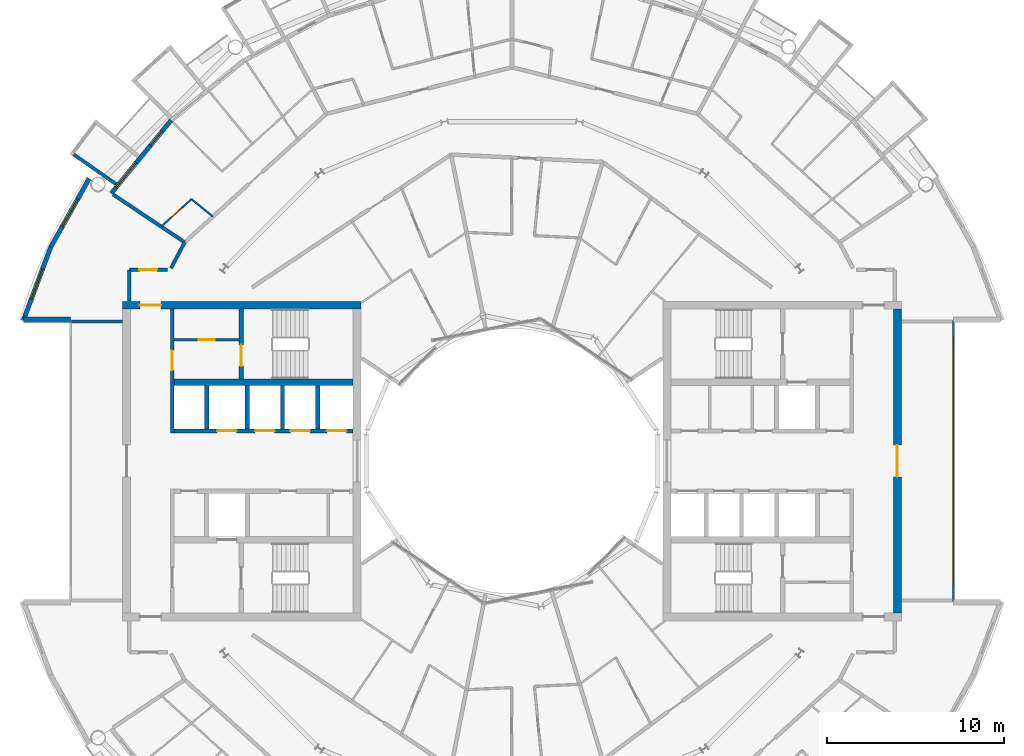
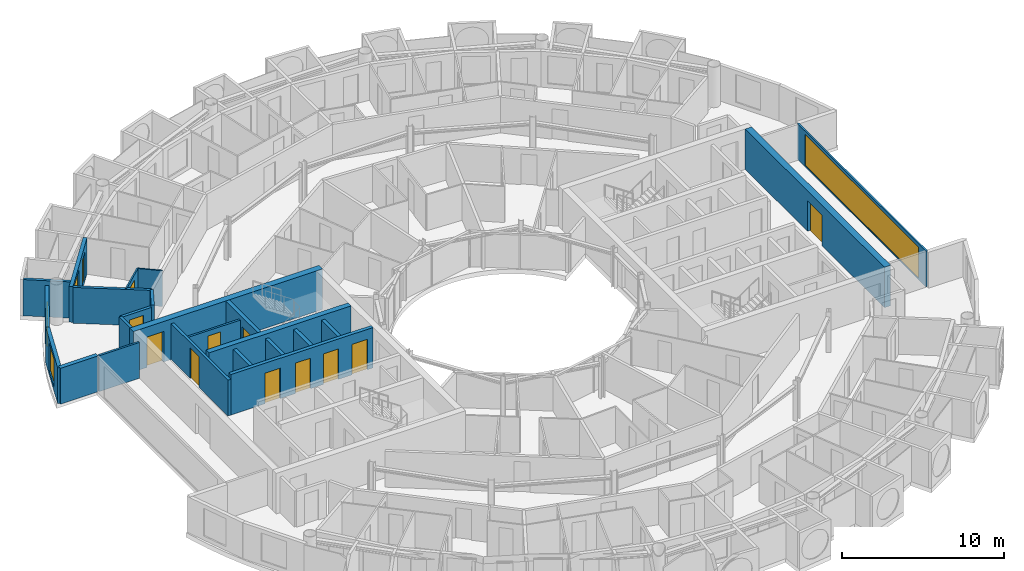
# One storey, part 20 of 29: 24 walls, 12 doors, 4 windows, 16 openings.
"""IFC4 building model written with IfcOpenShell, lengths in metres."""

from ifc_helpers import new_model, si_unit, direction, frame, frame_2d, origin, place, context, subcontext, project, spatial, rectangle, extrude, material, layer, layer_set, type_object, element, fill, save


model = new_model("IFC4")

# Units and contexts
model_context = context("Model", 3, precision=1e-05, world=origin(), true_north=direction((0.0, 1.0)))
body_context = subcontext(model_context, "Body", "Model", "MODEL_VIEW")
ifc_project = project(units=[si_unit("LENGTHUNIT", "METRE"), si_unit("AREAUNIT", "SQUARE_METRE"), si_unit("VOLUMEUNIT", "CUBIC_METRE"), si_unit("PLANEANGLEUNIT", "RADIAN"), si_unit("MASSUNIT", "GRAM", prefix="KILO")], contexts=[model_context])

# Site, building, storey
site_placement = place(None, origin())
site = spatial("IfcSite", under=ifc_project, at=site_placement, CompositionType="ELEMENT")
building_placement = place(site_placement, origin())
building = spatial("IfcBuilding", under=site, at=building_placement, Name="Maasbend Ring Residences", CompositionType="ELEMENT")
storey_placement = place(building_placement, frame((0.0, 0.0, 190.199951171875)))
storey = spatial("IfcBuildingStorey", under=building, at=storey_placement, Name="L54", CompositionType="ELEMENT", Elevation=190.199951171875)

# Wall, openings, doors
ifc_material_1 = material(Name="Concrete C50/60", Category="concrete")
ifc_layer_1 = layer(ifc_material_1, 0.25)
ifc_layer_set_1 = layer_set([ifc_layer_1], Name="Concrete C50/60")
wall_type_1 = type_object("IfcWallType", Name="CORE WALL 250 C50/60", PredefinedType="SHEAR", material=ifc_layer_set_1)
wall_1_placement = place(storey_placement, frame((-9.0, 1.699951171875, 0.0), z_axis=(0.0, 0.0, 1.0), x_axis=(-1.0, 0.0, 0.0)))
wall_1 = element("IfcWall", 1, at=wall_1_placement, inside=storey, type_object=wall_type_1, Name="L54 core W wall SPS", PredefinedType="SHEAR", context=body_context, shape_type="SweptSolid", body=[
    extrude(rectangle(XDim=10.14990234375, YDim=0.25, at=frame_2d((5.074951171875, 0.0))), origin(), (0.0, 0.0, 1.0), 3.050048828125),
])
opening_1_placement = place(wall_1_placement, frame((0.387451171875, 0.0, 0.0)))
opening_1 = element("IfcOpeningElement", 2, at=opening_1_placement, cuts=wall_1, Name="Opening LD-W5402", PredefinedType="OPENING", context=body_context, shape_type="SweptSolid", body=[
    extrude(rectangle(XDim=1.10009765625, YDim=2.300048828125, at=frame_2d((0.550048828125, 1.14990234375))), frame((0.0, 0.135009765625, 0.0), z_axis=(0.0, -1.0, 0.0), x_axis=(1.0, 0.0, 0.0)), (0.0, 0.0, 1.0), 0.27001953125),
])
opening_2_placement = place(wall_1_placement, frame((2.449951171875, 0.0, 0.0)))
opening_2 = element("IfcOpeningElement", 3, at=opening_2_placement, cuts=wall_1, Name="Opening LD-W5403", PredefinedType="OPENING", context=body_context, shape_type="SweptSolid", body=[
    extrude(rectangle(XDim=1.10009765625, YDim=2.300048828125, at=frame_2d((0.550048828125, 1.14990234375))), frame((0.0, 0.135009765625, 0.0), z_axis=(0.0, -1.0, 0.0), x_axis=(1.0, 0.0, 0.0)), (0.0, 0.0, 1.0), 0.27001953125),
])
opening_3_placement = place(wall_1_placement, frame((4.449951171875, 0.0, 0.0)))
opening_3 = element("IfcOpeningElement", 4, at=opening_3_placement, cuts=wall_1, Name="Opening LD-W5404", PredefinedType="OPENING", context=body_context, shape_type="SweptSolid", body=[
    extrude(rectangle(XDim=1.10009765625, YDim=2.300048828125, at=frame_2d((0.550048828125, 1.14990234375))), frame((0.0, 0.135009765625, 0.0), z_axis=(0.0, -1.0, 0.0), x_axis=(1.0, 0.0, 0.0)), (0.0, 0.0, 1.0), 0.27001953125),
])
opening_4_placement = place(wall_1_placement, frame((6.60009765625, 0.0, 0.0)))
opening_4 = element("IfcOpeningElement", 5, at=opening_4_placement, cuts=wall_1, Name="Opening LD-W5405", PredefinedType="OPENING", context=body_context, shape_type="SweptSolid", body=[
    extrude(rectangle(XDim=1.10009765625, YDim=2.300048828125, at=frame_2d((0.550048828125, 1.14990234375))), frame((0.0, 0.135009765625, 0.0), z_axis=(0.0, -1.0, 0.0), x_axis=(1.0, 0.0, 0.0)), (0.0, 0.0, 1.0), 0.27001953125),
])
ifc_material_2 = material(Name="Stainless steel 316", Category="steel")
door_type_1 = type_object("IfcDoorType", Name="LANDING DOOR 1100 X 2300 FD60", OperationType="DOUBLE_DOOR_SLIDING", PredefinedType="DOOR", material=ifc_material_2)
door_1_placement = place(opening_1_placement, origin())
door_1 = element("IfcDoor", 6, at=door_1_placement, inside=storey, type_object=door_type_1, Name="Landing door HR-W1 L54", OperationType="DOUBLE_DOOR_SLIDING", OverallHeight=2.300048828125, OverallWidth=1.10009765625, PredefinedType="DOOR", context=body_context, shape_type="SweptSolid", body=[
    extrude(rectangle(XDim=1.10009765625, YDim=2.300048828125, at=frame_2d((0.550048828125, 1.14990234375))), frame((0.0, 0.02490234375, 0.0), z_axis=(0.0, -1.0, 0.0), x_axis=(1.0, 0.0, 0.0)), (0.0, 0.0, 1.0), 0.050048828125),
])
fill(opening_1, door_1)
door_2_placement = place(opening_2_placement, origin())
door_2 = element("IfcDoor", 7, at=door_2_placement, inside=storey, type_object=door_type_1, Name="Landing door HR-W2 L54", OperationType="DOUBLE_DOOR_SLIDING", OverallHeight=2.300048828125, OverallWidth=1.10009765625, PredefinedType="DOOR", context=body_context, shape_type="SweptSolid", body=[
    extrude(rectangle(XDim=1.10009765625, YDim=2.300048828125, at=frame_2d((0.550048828125, 1.14990234375))), frame((0.0, 0.02490234375, 0.0), z_axis=(0.0, -1.0, 0.0), x_axis=(1.0, 0.0, 0.0)), (0.0, 0.0, 1.0), 0.050048828125),
])
fill(opening_2, door_2)
door_3_placement = place(opening_3_placement, origin())
door_3 = element("IfcDoor", 8, at=door_3_placement, inside=storey, type_object=door_type_1, Name="Landing door HR-W3 L54", OperationType="DOUBLE_DOOR_SLIDING", OverallHeight=2.300048828125, OverallWidth=1.10009765625, PredefinedType="DOOR", context=body_context, shape_type="SweptSolid", body=[
    extrude(rectangle(XDim=1.10009765625, YDim=2.300048828125, at=frame_2d((0.550048828125, 1.14990234375))), frame((0.0, 0.02490234375, 0.0), z_axis=(0.0, -1.0, 0.0), x_axis=(1.0, 0.0, 0.0)), (0.0, 0.0, 1.0), 0.050048828125),
])
fill(opening_3, door_3)
door_4_placement = place(opening_4_placement, origin())
door_4 = element("IfcDoor", 9, at=door_4_placement, inside=storey, type_object=door_type_1, Name="Landing door SV-W L54", OperationType="DOUBLE_DOOR_SLIDING", OverallHeight=2.300048828125, OverallWidth=1.10009765625, PredefinedType="DOOR", context=body_context, shape_type="SweptSolid", body=[
    extrude(rectangle(XDim=1.10009765625, YDim=2.300048828125, at=frame_2d((0.550048828125, 1.14990234375))), frame((0.0, 0.02490234375, 0.0), z_axis=(0.0, -1.0, 0.0), x_axis=(1.0, 0.0, 0.0)), (0.0, 0.0, 1.0), 0.050048828125),
])
fill(opening_4, door_4)

# Wall, opening, door
wall_2_placement = place(storey_placement, frame((-15.324951171875, 8.60009765625, 0.0), z_axis=(0.0, 0.0, 1.0), x_axis=(0.0, -1.0, 0.0)))
wall_2 = element("IfcWall", 10, at=wall_2_placement, inside=storey, type_object=wall_type_1, Name="L54 core W wall STES", PredefinedType="SHEAR", context=body_context, shape_type="SweptSolid", body=[
    extrude(rectangle(XDim=3.9501953125, YDim=0.25, at=frame_2d((1.97509765625, 0.0))), origin(), (0.0, 0.0, 1.0), 3.050048828125),
])
opening_5_placement = place(wall_2_placement, frame((2.02490234375, 0.0, 0.0)))
opening_5 = element("IfcOpeningElement", 11, at=opening_5_placement, cuts=wall_2, Name="Opening D-W5411", PredefinedType="OPENING", context=body_context, shape_type="SweptSolid", body=[
    extrude(rectangle(XDim=1.199951171875, YDim=2.300048828125, at=frame_2d((0.60009765625, 1.14990234375))), frame((0.0, 0.135009765625, 0.0), z_axis=(0.0, -1.0, 0.0), x_axis=(1.0, 0.0, 0.0)), (0.0, 0.0, 1.0), 0.27001953125),
])
ifc_material_3 = material(Name="Steel, powder coated", Category="steel")
door_type_2 = type_object("IfcDoorType", Name="STAIR DOOR 1200 X 2300 FD60", OperationType="NOTDEFINED", PredefinedType="DOOR", material=ifc_material_3)
door_5_placement = place(opening_5_placement, origin())
door_5 = element("IfcDoor", 12, at=door_5_placement, inside=storey, type_object=door_type_2, Name="Stair door ST-W L54", OperationType="SINGLE_SWING_LEFT", OverallHeight=2.300048828125, OverallWidth=1.199951171875, PredefinedType="DOOR", context=body_context, shape_type="SweptSolid", body=[
    extrude(rectangle(XDim=1.199951171875, YDim=2.300048828125, at=frame_2d((0.60009765625, 1.14990234375))), frame((0.0, 0.02490234375, 0.0), z_axis=(0.0, -1.0, 0.0), x_axis=(1.0, 0.0, 0.0)), (0.0, 0.0, 1.0), 0.050048828125),
])
fill(opening_5, door_5)

# Wall
ifc_material_4 = material(Name="Concrete C50/60", Category="concrete")
ifc_layer_2 = layer(ifc_material_4, 0.375)
ifc_layer_set_2 = layer_set([ifc_layer_2], Name="Concrete C50/60")
wall_type_2 = type_object("IfcWallType", Name="CORE WALL 375 C50/60", PredefinedType="SHEAR", material=ifc_layer_set_2)
wall_3_placement = place(storey_placement, frame((-9.0, 4.46240234375, 0.0), z_axis=(0.0, 0.0, 1.0), x_axis=(-1.0, 0.0, 0.0)))
element("IfcWall", 13, at=wall_3_placement, inside=storey, type_object=wall_type_2, Name="L54 core W wall BS", PredefinedType="SHEAR", context=body_context, shape_type="SweptSolid", body=[
    extrude(rectangle(XDim=10.14990234375, YDim=0.375, at=frame_2d((5.074951171875, 0.0))), origin(), (0.0, 0.0, 1.0), 3.050048828125),
])

# Wall, opening, door
ifc_material_5 = material(Name="Concrete C50/60", Category="concrete")
ifc_layer_3 = layer(ifc_material_5, 0.449951171875)
ifc_layer_set_3 = layer_set([ifc_layer_3], Name="Concrete C50/60")
wall_type_3 = type_object("IfcWallType", Name="CORE WALL 450 C50/60", PredefinedType="SHEAR", material=ifc_layer_set_3)
wall_4_placement = place(storey_placement, frame((21.824951171875, 8.60009765625, 0.0), z_axis=(0.0, 0.0, 1.0), x_axis=(0.0, -1.0, 0.0)))
wall_4 = element("IfcWall", 14, at=wall_4_placement, inside=storey, type_object=wall_type_3, Name="L54 core E wall POUT", PredefinedType="SHEAR", context=body_context, shape_type="SweptSolid", body=[
    extrude(rectangle(XDim=17.2001953125, YDim=0.449951171875, at=frame_2d((8.60009765625, 0.0))), origin(), (0.0, 0.0, 1.0), 3.050048828125),
])
opening_6_placement = place(wall_4_placement, frame((7.699951171875, 0.0, 0.0)))
opening_6 = element("IfcOpeningElement", 15, at=opening_6_placement, cuts=wall_4, Name="Opening D-E5418", PredefinedType="OPENING", context=body_context, shape_type="SweptSolid", body=[
    extrude(rectangle(XDim=1.800048828125, YDim=2.300048828125, at=frame_2d((0.89990234375, 1.14990234375))), frame((0.0, 0.23486328125, 0.0), z_axis=(0.0, -1.0, 0.0), x_axis=(1.0, 0.0, 0.0)), (0.0, 0.0, 1.0), 0.469970703125),
])
ifc_material_6 = material(Name="Aluminium frame, clear glass", Category="aluminium")
door_type_3 = type_object("IfcDoorType", Name="ENTRANCE DOOR 1800 X 2300 FD60", OperationType="NOTDEFINED", PredefinedType="DOOR", material=ifc_material_6)
door_6_placement = place(opening_6_placement, origin())
door_6 = element("IfcDoor", 16, at=door_6_placement, inside=storey, type_object=door_type_3, Name="Lobby glazed door L54", OperationType="SINGLE_SWING_LEFT", OverallHeight=2.300048828125, OverallWidth=1.800048828125, PredefinedType="DOOR", context=body_context, shape_type="SweptSolid", body=[
    extrude(rectangle(XDim=1.800048828125, YDim=2.300048828125, at=frame_2d((0.89990234375, 1.14990234375))), frame((0.0, 0.02490234375, 0.0), z_axis=(0.0, -1.0, 0.0), x_axis=(1.0, 0.0, 0.0)), (0.0, 0.0, 1.0), 0.050048828125),
])
fill(opening_6, door_6)

wall_5_placement = place(storey_placement, frame((-8.550048828125, 8.824951171875, 0.0), z_axis=(0.0, 0.0, 1.0), x_axis=(-1.0, 0.0, 0.0)))
wall_5 = element("IfcWall", 17, at=wall_5_placement, inside=storey, type_object=wall_type_3, Name="L54 core W wall PS", PredefinedType="SHEAR", context=body_context, shape_type="SweptSolid", body=[
    extrude(rectangle(XDim=13.5, YDim=0.449951171875, at=frame_2d((6.75, 0.0))), origin(), (0.0, 0.0, 1.0), 3.050048828125),
])
opening_7_placement = place(wall_5_placement, frame((11.324951171875, 0.0, 0.0)))
opening_7 = element("IfcOpeningElement", 18, at=opening_7_placement, cuts=wall_5, Name="Opening D-W5415", PredefinedType="OPENING", context=body_context, shape_type="SweptSolid", body=[
    extrude(rectangle(XDim=1.199951171875, YDim=2.300048828125, at=frame_2d((0.60009765625, 1.14990234375))), frame((0.0, 0.23486328125, 0.0), z_axis=(0.0, -1.0, 0.0), x_axis=(1.0, 0.0, 0.0)), (0.0, 0.0, 1.0), 0.469970703125),
])
ifc_material_7 = material(Name="Steel, powder coated", Category="steel")
door_type_4 = type_object("IfcDoorType", Name="CORRIDOR DOOR 1200 X 2300 FD30S", OperationType="NOTDEFINED", PredefinedType="DOOR", material=ifc_material_7)
door_7_placement = place(opening_7_placement, origin())
door_7 = element("IfcDoor", 19, at=door_7_placement, inside=storey, type_object=door_type_4, Name="Corridor door L54", OperationType="SINGLE_SWING_LEFT", OverallHeight=2.300048828125, OverallWidth=1.199951171875, PredefinedType="DOOR", context=body_context, shape_type="SweptSolid", body=[
    extrude(rectangle(XDim=1.199951171875, YDim=2.300048828125, at=frame_2d((0.60009765625, 1.14990234375))), frame((0.0, 0.02490234375, 0.0), z_axis=(0.0, -1.0, 0.0), x_axis=(1.0, 0.0, 0.0)), (0.0, 0.0, 1.0), 0.050048828125),
])
fill(opening_7, door_7)

ifc_material_8 = material(Name="Concrete C30/37", Category="concrete")
ifc_layer_4 = layer(ifc_material_8, 0.199951171875)
ifc_layer_set_4 = layer_set([ifc_layer_4], Name="Concrete C30/37")
wall_type_4 = type_object("IfcWallType", Name="CORRIDOR WALL 200 CONCRETE", PredefinedType="PARTITIONING", material=ifc_layer_set_4)
wall_6_placement = place(storey_placement, frame((-21.675048828125, 10.824951171875, 0.0), z_axis=(0.0, 0.0, 1.0), x_axis=(1.0, 0.0, 0.0)))
wall_6 = element("IfcWall", 20, at=wall_6_placement, inside=storey, type_object=wall_type_4, Name="U-L54-w093", PredefinedType="PARTITIONING", context=body_context, shape_type="SweptSolid", body=[
    extrude(rectangle(XDim=2.152099609375, YDim=0.199951171875, at=frame_2d((1.076171875, 0.0))), origin(), (0.0, 0.0, 1.0), 2.699951171875),
])
opening_8_placement = place(wall_6_placement, frame((0.575927734375, 0.0, 0.0)))
opening_8 = element("IfcOpeningElement", 21, at=opening_8_placement, cuts=wall_6, Name="Opening D-5472", PredefinedType="OPENING", context=body_context, shape_type="SweptSolid", body=[
    extrude(rectangle(XDim=1.0, YDim=2.300048828125, at=frame_2d((0.5, 1.14990234375))), frame((0.0, 0.10986328125, 0.0), z_axis=(0.0, -1.0, 0.0), x_axis=(1.0, 0.0, 0.0)), (0.0, 0.0, 1.0), 0.219970703125),
])
ifc_material_9 = material(Name="Timber, painted", Category="wood")
door_type_5 = type_object("IfcDoorType", Name="ROOM DOOR 1000 X 2300", OperationType="NOTDEFINED", PredefinedType="DOOR", material=ifc_material_9)
door_8_placement = place(opening_8_placement, origin())
door_8 = element("IfcDoor", 22, at=door_8_placement, inside=storey, type_object=door_type_5, Name="D-5472", OperationType="SINGLE_SWING_LEFT", OverallHeight=2.300048828125, OverallWidth=1.0, PredefinedType="DOOR", context=body_context, shape_type="SweptSolid", body=[
    extrude(rectangle(XDim=1.0, YDim=2.300048828125, at=frame_2d((0.5, 1.14990234375))), frame((0.0, 0.02490234375, 0.0), z_axis=(0.0, -1.0, 0.0), x_axis=(1.0, 0.0, 0.0)), (0.0, 0.0, 1.0), 0.050048828125),
])
fill(opening_8, door_8)

# Walls
wall_7_placement = place(storey_placement, frame((-21.675048828125, 9.050048828125, 0.0), z_axis=(0.0, 0.0, 1.0), x_axis=(0.0, 1.0, 0.0)))
element("IfcWall", 23, at=wall_7_placement, inside=storey, type_object=wall_type_4, Name="U-L54-w109", PredefinedType="PARTITIONING", context=body_context, shape_type="SweptSolid", body=[
    extrude(rectangle(XDim=1.77490234375, YDim=0.199951171875, at=frame_2d((0.887451171875, 0.0))), origin(), (0.0, 0.0, 1.0), 2.699951171875),
])
wall_8_placement = place(storey_placement, frame((-19.31689453125, 10.9150390625, 0.0), z_axis=(0.0, 0.0, 1.0), x_axis=(0.465359652486, 0.885121683068, 0.0)))
element("IfcWall", 24, at=wall_8_placement, inside=storey, type_object=wall_type_4, Name="U-L54-w110", PredefinedType="PARTITIONING", context=body_context, shape_type="SweptSolid", body=[
    extrude(rectangle(XDim=1.665283203125, YDim=0.199951171875, at=frame_2d((0.83251953125, 0.0))), origin(), (0.0, 0.0, 1.0), 2.699951171875),
])
ifc_material_10 = material(Name="Pale anodised aluminium panel", Category="aluminium")
ifc_layer_5 = layer(ifc_material_10, 0.199951171875)
ifc_layer_set_5 = layer_set([ifc_layer_5], Name="EW-BOX")
wall_type_5 = type_object("IfcWallType", Name="EW-BOX", PredefinedType="SOLIDWALL", material=ifc_layer_set_5)
wall_9_placement = place(storey_placement, frame((-22.43310546875, 15.68798828125, -0.030029296875), z_axis=(0.0, 0.0, 1.0), x_axis=(-0.819373043115, 0.573260687834, 0.0)))
element("IfcWall", 25, at=wall_9_placement, inside=storey, type_object=wall_type_5, Name="Box side wall N20 right", PredefinedType="SOLIDWALL", context=body_context, shape_type="SweptSolid", body=[
    extrude(rectangle(XDim=2.92529296875, YDim=0.199951171875, at=frame_2d((1.462646484375, 0.0))), origin(), (0.0, 0.0, 1.0), 2.72998046875),
])

# Wall, openings, door, window
ifc_material_11 = material(Name="Aluminium clad insulated panel", Category="aluminium")
ifc_layer_6 = layer(ifc_material_11, 0.25)
ifc_layer_set_6 = layer_set([ifc_layer_6], Name="EW-GL")
wall_type_6 = type_object("IfcWallType", Name="EW-GL", PredefinedType="SOLIDWALL", material=ifc_layer_set_6)
wall_10_placement = place(storey_placement, frame((-19.303955078125, 19.303955078125, 0.0), z_axis=(0.0, 0.0, 1.0), x_axis=(-0.634382322723, -0.773019449054, 0.0)))
wall_10 = element("IfcWall", 26, at=wall_10_placement, inside=storey, type_object=wall_type_6, Name="External wall N10", PredefinedType="SOLIDWALL", context=body_context, shape_type="SweptSolid", body=[
    extrude(rectangle(XDim=5.351806640625, YDim=0.25, at=frame_2d((2.67578125, 0.0))), origin(), (0.0, 0.0, 1.0), 2.699951171875),
])
opening_9_placement = place(wall_10_placement, frame((0.841064453125, 0.0, 0.0)))
opening_9 = element("IfcOpeningElement", 27, at=opening_9_placement, cuts=wall_10, Name="Opening D-LG", PredefinedType="OPENING", context=body_context, shape_type="SweptSolid", body=[
    extrude(rectangle(XDim=1.0, YDim=2.199951171875, at=frame_2d((0.5, 1.10009765625))), frame((0.0, 0.135009765625, 0.0), z_axis=(0.0, -1.0, 0.0), x_axis=(1.0, 0.0, 0.0)), (0.0, 0.0, 1.0), 0.27001953125),
])
opening_10_placement = place(wall_10_placement, frame((3.110595703125, 0.0, 0.300048828125)))
opening_10 = element("IfcOpeningElement", 28, at=opening_10_placement, cuts=wall_10, Name="Opening W-BX", PredefinedType="OPENING", context=body_context, shape_type="SweptSolid", body=[
    extrude(rectangle(XDim=1.800048828125, YDim=2.10009765625, at=frame_2d((0.89990234375, 1.050048828125))), frame((0.0, 0.135009765625, 0.0), z_axis=(0.0, -1.0, 0.0), x_axis=(1.0, 0.0, 0.0)), (0.0, 0.0, 1.0), 0.27001953125),
])
ifc_material_12 = material(Name="Aluminium and clear glass", Category="aluminium")
door_type_6 = type_object("IfcDoorType", Name="D-LG", OperationType="SINGLE_SWING_LEFT", PredefinedType="DOOR", material=ifc_material_12)
door_9_placement = place(opening_9_placement, origin())
door_9 = element("IfcDoor", 29, at=door_9_placement, inside=storey, type_object=door_type_6, Name="Loggia door N19", OperationType="SINGLE_SWING_LEFT", OverallHeight=2.199951171875, OverallWidth=1.0, PredefinedType="DOOR", context=body_context, shape_type="SweptSolid", body=[
    extrude(rectangle(XDim=1.0, YDim=2.199951171875, at=frame_2d((0.5, 1.10009765625))), frame((0.0, 0.02490234375, 0.0), z_axis=(0.0, -1.0, 0.0), x_axis=(1.0, 0.0, 0.0)), (0.0, 0.0, 1.0), 0.050048828125),
])
fill(opening_9, door_9)
ifc_material_13 = material(Name="Aluminium and clear glass", Category="aluminium")
window_type_1 = type_object("IfcWindowType", Name="W-BX", PartitioningType="DOUBLE_PANEL_VERTICAL", PredefinedType="WINDOW", material=ifc_material_13)
window_1_placement = place(opening_10_placement, origin())
window_1 = element("IfcWindow", 30, at=window_1_placement, inside=storey, type_object=window_type_1, Name="Window N20 room to box", OverallHeight=2.10009765625, OverallWidth=1.800048828125, PartitioningType="SINGLE_PANEL", PredefinedType="WINDOW", context=body_context, shape_type="SweptSolid", body=[
    extrude(rectangle(XDim=1.800048828125, YDim=2.10009765625, at=frame_2d((0.89990234375, 1.050048828125))), frame((0.0, 0.030029296875, 0.0), z_axis=(0.0, -1.0, 0.0), x_axis=(1.0, 0.0, 0.0)), (0.0, 0.0, 1.0), 0.06005859375),
])
fill(opening_10, window_1)

# Wall, opening, window
ifc_material_14 = material(Name="Aluminium clad insulated panel", Category="aluminium")
ifc_layer_7 = layer(ifc_material_14, 0.25)
ifc_layer_set_7 = layer_set([ifc_layer_7], Name="EW-HORN")
wall_type_7 = type_object("IfcWallType", Name="EW-HORN", PredefinedType="SOLIDWALL", material=ifc_layer_set_7)
wall_11_placement = place(storey_placement, frame((-23.946044921875, 16.0, 0.0), z_axis=(0.0, 0.0, 1.0), x_axis=(-0.489696356642, -0.871893042919, 0.0)))
wall_11 = element("IfcWall", 31, at=wall_11_placement, inside=storey, type_object=wall_type_7, Name="Horn wall 4.1", PredefinedType="SOLIDWALL", context=body_context, shape_type="SweptSolid", body=[
    extrude(rectangle(XDim=4.45361328125, YDim=0.25, at=frame_2d((2.226806640625, 0.0))), origin(), (0.0, 0.0, 1.0), 2.699951171875),
])
opening_11_placement = place(wall_11_placement, frame((1.32666015625, 0.0, 0.300048828125)))
opening_11 = element("IfcOpeningElement", 32, at=opening_11_placement, cuts=wall_11, Name="Opening W-BX", PredefinedType="OPENING", context=body_context, shape_type="SweptSolid", body=[
    extrude(rectangle(XDim=1.800048828125, YDim=2.10009765625, at=frame_2d((0.89990234375, 1.050048828125))), frame((0.0, 0.135009765625, 0.0), z_axis=(0.0, -1.0, 0.0), x_axis=(1.0, 0.0, 0.0)), (0.0, 0.0, 1.0), 0.27001953125),
])
window_2_placement = place(opening_11_placement, origin())
window_2 = element("IfcWindow", 33, at=window_2_placement, inside=storey, type_object=window_type_1, Name="Horn window 4.1", OverallHeight=2.10009765625, OverallWidth=1.800048828125, PartitioningType="SINGLE_PANEL", PredefinedType="WINDOW", context=body_context, shape_type="SweptSolid", body=[
    extrude(rectangle(XDim=1.800048828125, YDim=2.10009765625, at=frame_2d((0.89990234375, 1.050048828125))), frame((0.0, 0.030029296875, 0.0), z_axis=(0.0, -1.0, 0.0), x_axis=(1.0, 0.0, 0.0)), (0.0, 0.0, 1.0), 0.06005859375),
])
fill(opening_11, window_2)

wall_12_placement = place(storey_placement, frame((-26.126953125, 12.116943359375, 0.0), z_axis=(0.0, 0.0, 1.0), x_axis=(-0.349247811493, -0.937030397675, 0.0)))
wall_12 = element("IfcWall", 34, at=wall_12_placement, inside=storey, type_object=wall_type_7, Name="Horn wall 4.2", PredefinedType="SOLIDWALL", context=body_context, shape_type="SweptSolid", body=[
    extrude(rectangle(XDim=4.4521484375, YDim=0.25, at=frame_2d((2.22607421875, 0.0))), origin(), (0.0, 0.0, 1.0), 2.699951171875),
])
opening_12_placement = place(wall_12_placement, frame((1.32666015625, 0.0, 0.300048828125)))
opening_12 = element("IfcOpeningElement", 35, at=opening_12_placement, cuts=wall_12, Name="Opening W-BX", PredefinedType="OPENING", context=body_context, shape_type="SweptSolid", body=[
    extrude(rectangle(XDim=1.800048828125, YDim=2.10009765625, at=frame_2d((0.89990234375, 1.050048828125))), frame((0.0, 0.135009765625, 0.0), z_axis=(0.0, -1.0, 0.0), x_axis=(1.0, 0.0, 0.0)), (0.0, 0.0, 1.0), 0.27001953125),
])
window_3_placement = place(opening_12_placement, origin())
window_3 = element("IfcWindow", 36, at=window_3_placement, inside=storey, type_object=window_type_1, Name="Horn window 4.2", OverallHeight=2.10009765625, OverallWidth=1.800048828125, PartitioningType="SINGLE_PANEL", PredefinedType="WINDOW", context=body_context, shape_type="SweptSolid", body=[
    extrude(rectangle(XDim=1.800048828125, YDim=2.10009765625, at=frame_2d((0.89990234375, 1.050048828125))), frame((0.0, 0.030029296875, 0.0), z_axis=(0.0, -1.0, 0.0), x_axis=(1.0, 0.0, 0.0)), (0.0, 0.0, 1.0), 0.06005859375),
])
fill(opening_12, window_3)

# Wall
ifc_material_15 = material(Name="Aluminium clad insulated panel", Category="aluminium")
ifc_layer_8 = layer(ifc_material_15, 0.300048828125)
ifc_layer_set_8 = layer_set([ifc_layer_8], Name="EW-RET")
wall_type_8 = type_object("IfcWallType", Name="EW-RET", PredefinedType="SOLIDWALL", material=ifc_layer_set_8)
wall_13_placement = place(storey_placement, frame((-25.0, 8.0, 0.0), z_axis=(0.0, 0.0, 1.0), x_axis=(-1.0, 0.0, 0.0)))
element("IfcWall", 37, at=wall_13_placement, inside=storey, type_object=wall_type_8, Name="Notch return wall west north", PredefinedType="SOLIDWALL", context=body_context, shape_type="SweptSolid", body=[
    extrude(rectangle(XDim=2.6669921875, YDim=0.300048828125, at=frame_2d((1.33349609375, 0.0))), origin(), (0.0, 0.0, 1.0), 2.699951171875),
])

# Wall, opening, window
ifc_material_16 = material(Name="Aluminium frame and clear glass", Category="aluminium")
ifc_layer_9 = layer(ifc_material_16, 0.1201171875)
ifc_layer_set_9 = layer_set([ifc_layer_9], Name="GLAZED SCREEN WALL 120 EI 60")
wall_type_9 = type_object("IfcWallType", Name="GLAZED SCREEN WALL 120 EI 60", PredefinedType="PARTITIONING", material=ifc_layer_set_9)
wall_14_placement = place(storey_placement, frame((25.0, -7.949951171875, 0.0), z_axis=(0.0, 0.0, 1.0), x_axis=(0.0, 1.0, 0.0)))
wall_14 = element("IfcWall", 38, at=wall_14_placement, inside=storey, type_object=wall_type_9, Name="L54 core E wall FACE", PredefinedType="PARTITIONING", context=body_context, shape_type="SweptSolid", body=[
    extrude(rectangle(XDim=15.89990234375, YDim=0.1201171875, at=frame_2d((7.949951171875, 0.0))), origin(), (0.0, 0.0, 1.0), 2.699951171875),
])
opening_13_placement = place(wall_14_placement, frame((0.949951171875, 0.0, 0.10009765625)))
opening_13 = element("IfcOpeningElement", 39, at=opening_13_placement, cuts=wall_14, Name="Opening W-E5402", PredefinedType="OPENING", context=body_context, shape_type="SweptSolid", body=[
    extrude(rectangle(XDim=14.0, YDim=2.35009765625, at=frame_2d((7.0, 1.175048828125))), frame((0.0, 0.070068359375, 0.0), z_axis=(0.0, -1.0, 0.0), x_axis=(1.0, 0.0, 0.0)), (0.0, 0.0, 1.0), 0.14013671875),
])
ifc_material_17 = material(Name="Aluminium frame and clear glass", Category="aluminium")
window_type_2 = type_object("IfcWindowType", Name="FIXED WINDOW 14000 X 2350", PartitioningType="SINGLE_PANEL", PredefinedType="WINDOW", material=ifc_material_17)
window_4_placement = place(opening_13_placement, origin())
window_4 = element("IfcWindow", 40, at=window_4_placement, inside=storey, type_object=window_type_2, Name="Lobby window L54", OverallHeight=2.35009765625, OverallWidth=14.0, PartitioningType="SINGLE_PANEL", PredefinedType="WINDOW", context=body_context, shape_type="SweptSolid", body=[
    extrude(rectangle(XDim=14.0, YDim=2.35009765625, at=frame_2d((7.0, 1.175048828125))), frame((0.0, 0.030029296875, 0.0), z_axis=(0.0, -1.0, 0.0), x_axis=(1.0, 0.0, 0.0)), (0.0, 0.0, 1.0), 0.06005859375),
])
fill(opening_13, window_4)

# Wall
ifc_material_18 = material(Name="Gypsum board on steel studs", Category="steel")
ifc_layer_10 = layer(ifc_material_18, 0.10009765625)
ifc_layer_set_10 = layer_set([ifc_layer_10], Name="PARTITION 100 GYPSUM")
wall_type_10 = type_object("IfcWallType", Name="PARTITION 100 GYPSUM", PredefinedType="PARTITIONING", material=ifc_layer_set_10)
wall_15_placement = place(storey_placement, frame((-18.154052734375, 14.833984375, 0.0), z_axis=(0.0, 0.0, 1.0), x_axis=(0.774345345452, -0.632763214779, 0.0)))
element("IfcWall", 41, at=wall_15_placement, inside=storey, type_object=wall_type_10, Name="U-L54-w037", PredefinedType="PARTITIONING", context=body_context, shape_type="SweptSolid", body=[
    extrude(rectangle(XDim=1.569091796875, YDim=0.10009765625, at=frame_2d((0.78466796875, 0.0))), origin(), (0.0, 0.0, 1.0), 2.699951171875),
])

# Wall, opening, door
wall_16_placement = place(storey_placement, frame((-19.8720703125, 13.278076171875, 0.0), z_axis=(0.0, 0.0, 1.0), x_axis=(0.740990220108, 0.671515817911, 0.0)))
wall_16 = element("IfcWall", 42, at=wall_16_placement, inside=storey, type_object=wall_type_10, Name="U-L54-w112", PredefinedType="PARTITIONING", context=body_context, shape_type="SweptSolid", body=[
    extrude(rectangle(XDim=2.32275390625, YDim=0.10009765625, at=frame_2d((1.161376953125, 0.0))), origin(), (0.0, 0.0, 1.0), 2.699951171875),
])
opening_14_placement = place(wall_16_placement, frame((0.7109375, 0.0, 0.0)))
opening_14 = element("IfcOpeningElement", 43, at=opening_14_placement, cuts=wall_16, Name="Opening D-5420", PredefinedType="OPENING", context=body_context, shape_type="SweptSolid", body=[
    extrude(rectangle(XDim=0.89990234375, YDim=2.300048828125, at=frame_2d((0.449951171875, 1.14990234375))), frame((0.0, 0.06005859375, 0.0), z_axis=(0.0, -1.0, 0.0), x_axis=(1.0, 0.0, 0.0)), (0.0, 0.0, 1.0), 0.1201171875),
])
ifc_material_19 = material(Name="Timber, painted", Category="wood")
door_type_7 = type_object("IfcDoorType", Name="INTERNAL DOOR 900 X 2300", OperationType="NOTDEFINED", PredefinedType="DOOR", material=ifc_material_19)
door_10_placement = place(opening_14_placement, origin())
door_10 = element("IfcDoor", 44, at=door_10_placement, inside=storey, type_object=door_type_7, Name="D-5420", OperationType="SINGLE_SWING_LEFT", OverallHeight=2.300048828125, OverallWidth=0.89990234375, PredefinedType="DOOR", context=body_context, shape_type="SweptSolid", body=[
    extrude(rectangle(XDim=0.89990234375, YDim=2.300048828125, at=frame_2d((0.449951171875, 1.14990234375))), frame((0.0, 0.02490234375, 0.0), z_axis=(0.0, -1.0, 0.0), x_axis=(1.0, 0.0, 0.0)), (0.0, 0.0, 1.0), 0.050048828125),
])
fill(opening_14, door_10)

ifc_material_20 = material(Name="Gypsum board on steel studs", Category="steel")
ifc_layer_11 = layer(ifc_material_20, 0.14990234375)
ifc_layer_set_11 = layer_set([ifc_layer_11], Name="PARTITION 150 EI 60")
wall_type_11 = type_object("IfcWallType", Name="PARTITION 150 EI 60", PredefinedType="PARTITIONING", material=ifc_layer_set_11)
wall_17_placement = place(storey_placement, frame((-15.449951171875, 6.875, 0.0), z_axis=(0.0, 0.0, 1.0), x_axis=(-1.0, 0.0, 0.0)))
wall_17 = element("IfcWall", 45, at=wall_17_placement, inside=storey, type_object=wall_type_11, Name="L54 core W wall RHS", PredefinedType="PARTITIONING", context=body_context, shape_type="SweptSolid", body=[
    extrude(rectangle(XDim=3.699951171875, YDim=0.14990234375, at=frame_2d((1.85009765625, 0.0))), origin(), (0.0, 0.0, 1.0), 2.699951171875),
])
opening_15_placement = place(wall_17_placement, frame((1.39990234375, 0.0, 0.0)))
opening_15 = element("IfcOpeningElement", 46, at=opening_15_placement, cuts=wall_17, Name="Opening D-W5409", PredefinedType="OPENING", context=body_context, shape_type="SweptSolid", body=[
    extrude(rectangle(XDim=0.89990234375, YDim=2.300048828125, at=frame_2d((0.449951171875, 1.14990234375))), frame((0.0, 0.0849609375, 0.0), z_axis=(0.0, -1.0, 0.0), x_axis=(1.0, 0.0, 0.0)), (0.0, 0.0, 1.0), 0.169921875),
])
ifc_material_21 = material(Name="Steel, powder coated", Category="steel")
door_type_8 = type_object("IfcDoorType", Name="RISER DOOR 900 X 2300 FD60", OperationType="NOTDEFINED", PredefinedType="DOOR", material=ifc_material_21)
door_11_placement = place(opening_15_placement, origin())
door_11 = element("IfcDoor", 47, at=door_11_placement, inside=storey, type_object=door_type_8, Name="Riser door L54", OperationType="SINGLE_SWING_LEFT", OverallHeight=2.300048828125, OverallWidth=0.89990234375, PredefinedType="DOOR", context=body_context, shape_type="SweptSolid", body=[
    extrude(rectangle(XDim=0.89990234375, YDim=2.300048828125, at=frame_2d((0.449951171875, 1.14990234375))), frame((0.0, 0.02490234375, 0.0), z_axis=(0.0, -1.0, 0.0), x_axis=(1.0, 0.0, 0.0)), (0.0, 0.0, 1.0), 0.050048828125),
])
fill(opening_15, door_11)

# Walls
wall_18_placement = place(storey_placement, frame((-22.050048828125, 7.89990234375, 0.0), z_axis=(0.0, 0.0, 1.0), x_axis=(-1.0, 0.0, 0.0)))
element("IfcWall", 48, at=wall_18_placement, inside=storey, type_object=wall_type_11, Name="L54 core W wall CITS", PredefinedType="PARTITIONING", context=body_context, shape_type="SweptSolid", body=[
    extrude(rectangle(XDim=2.889892578125, YDim=0.14990234375, at=frame_2d((1.44482421875, 0.0))), origin(), (0.0, 0.0, 1.0), 2.699951171875),
])
ifc_material_22 = material(Name="Concrete C30/37", Category="concrete")
ifc_layer_12 = layer(ifc_material_22, 0.199951171875)
ifc_layer_set_12 = layer_set([ifc_layer_12], Name="Concrete C30/37")
wall_type_12 = type_object("IfcWallType", Name="PARTY WALL 200 CONCRETE", PredefinedType="PARTITIONING", material=ifc_layer_set_12)
wall_19_placement = place(storey_placement, frame((-22.594970703125, 15.097900390625, 0.0), z_axis=(0.0, 0.0, 1.0), x_axis=(0.831387096605, -0.55569370664, 0.0)))
element("IfcWall", 49, at=wall_19_placement, inside=storey, type_object=wall_type_12, Name="U-L54-w033", PredefinedType="PARTITIONING", context=body_context, shape_type="SweptSolid", body=[
    extrude(rectangle(XDim=4.875, YDim=0.199951171875, at=frame_2d((2.4375, 0.0))), origin(), (0.0, 0.0, 1.0), 2.699951171875),
])

# Wall, opening, door
ifc_material_23 = material(Name="Concrete C30/37", Category="concrete")
ifc_layer_13 = layer(ifc_material_23, 0.199951171875)
ifc_layer_set_13 = layer_set([ifc_layer_13], Name="Concrete C30/37")
wall_type_13 = type_object("IfcWallType", Name="SHAFT WALL 200 EI 120", PredefinedType="SOLIDWALL", material=ifc_layer_set_13)
wall_20_placement = place(storey_placement, frame((-19.25, 8.60009765625, 0.0), z_axis=(0.0, 0.0, 1.0), x_axis=(0.0, -1.0, 0.0)))
wall_20 = element("IfcWall", 50, at=wall_20_placement, inside=storey, type_object=wall_type_13, Name="L54 core W wall ENDS", PredefinedType="SOLIDWALL", context=body_context, shape_type="SweptSolid", body=[
    extrude(rectangle(XDim=7.025146484375, YDim=0.199951171875, at=frame_2d((3.5126953125, 0.0))), origin(), (0.0, 0.0, 1.0), 2.699951171875),
])
opening_16_placement = place(wall_20_placement, frame((2.35009765625, 0.0, 0.0)))
opening_16 = element("IfcOpeningElement", 51, at=opening_16_placement, cuts=wall_20, Name="Opening D-W5413", PredefinedType="OPENING", context=body_context, shape_type="SweptSolid", body=[
    extrude(rectangle(XDim=1.10009765625, YDim=2.300048828125, at=frame_2d((0.550048828125, 1.14990234375))), frame((0.0, 0.10986328125, 0.0), z_axis=(0.0, -1.0, 0.0), x_axis=(1.0, 0.0, 0.0)), (0.0, 0.0, 1.0), 0.219970703125),
])
ifc_material_24 = material(Name="Steel, powder coated", Category="steel")
door_type_9 = type_object("IfcDoorType", Name="LOBBY DOOR 1100 X 2300 FD60", OperationType="NOTDEFINED", PredefinedType="DOOR", material=ifc_material_24)
door_12_placement = place(opening_16_placement, origin())
door_12 = element("IfcDoor", 52, at=door_12_placement, inside=storey, type_object=door_type_9, Name="Lobby door L54", OperationType="SINGLE_SWING_RIGHT", OverallHeight=2.300048828125, OverallWidth=1.10009765625, PredefinedType="DOOR", context=body_context, shape_type="SweptSolid", body=[
    extrude(rectangle(XDim=1.10009765625, YDim=2.300048828125, at=frame_2d((0.550048828125, 1.14990234375))), frame((0.0, 0.02490234375, 0.0), z_axis=(0.0, -1.0, 0.0), x_axis=(1.0, 0.0, 0.0)), (0.0, 0.0, 1.0), 0.050048828125),
])
fill(opening_16, door_12)

# Walls
ifc_material_25 = material(Name="Concrete C30/37", Category="concrete")
ifc_layer_14 = layer(ifc_material_25, 0.25)
ifc_layer_set_14 = layer_set([ifc_layer_14], Name="Concrete C30/37")
wall_type_14 = type_object("IfcWallType", Name="SHAFT WALL 250 EI 120", PredefinedType="SOLIDWALL", material=ifc_layer_set_14)
for number, where, z_axis, x_axis, name in (
    (53, (-15.0, 1.824951171875, 0.0), (0.0, 0.0, 1.0), (0.0, 1.0, 0.0), "L54 core W wall D150S"),
    (54, (-17.300048828125, 1.824951171875, 0.0), (0.0, 0.0, 1.0), (0.0, 1.0, 0.0), "L54 core W wall D173S"),
    (55, (-11.0, 1.824951171875, 0.0), (0.0, 0.0, 1.0), (0.0, 1.0, 0.0), "L54 core W wall D110S"),
    (56, (-13.0, 1.824951171875, 0.0), (0.0, 0.0, 1.0), (0.0, 1.0, 0.0), "L54 core W wall D130S"),
):
    element("IfcWall", number, at=place(storey_placement, frame(where, z_axis=z_axis, x_axis=x_axis)), inside=storey, type_object=wall_type_14, Name=name, PredefinedType="SOLIDWALL", context=body_context, shape_type="SweptSolid", body=[
        extrude(rectangle(XDim=2.449951171875, YDim=0.25, at=frame_2d((1.22509765625, 0.0))), origin(), (0.0, 0.0, 1.0), 2.699951171875),
    ])

save(model, "model.ifc")
